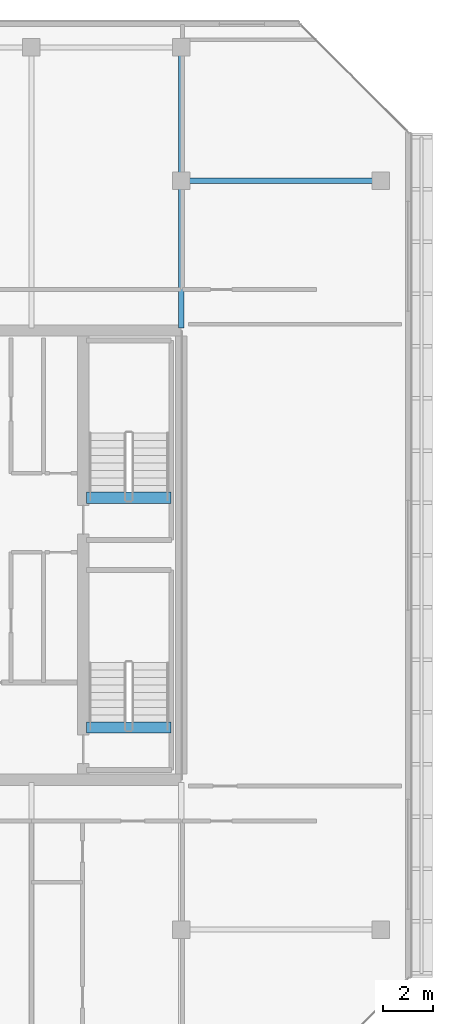
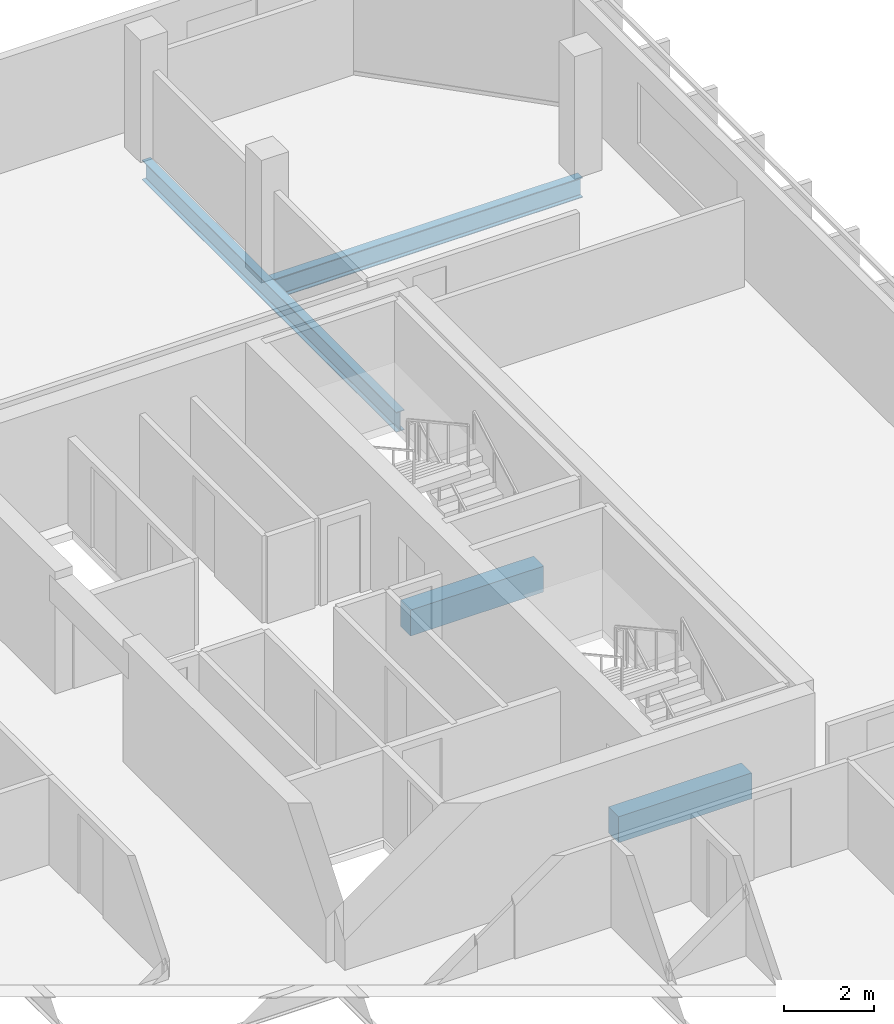
# One storey, part 17 of 29: 4 beams.
"""IFC4 building model written with IfcOpenShell, lengths in metres."""

import ifcopenshell
import ifcopenshell.guid

model = None  # the IFC model being written
_history = None  # IfcOwnerHistory: only IFC2X3 demands one
_inside = {}  # id of a spatial element -> (the spatial element, [elements in it])
_under = {}  # id of a project, library or spatial element -> (it, [spatial elements below it])
_declared = {}  # id of a project -> (the project, [libraries it declares])
_typed = {}  # id of a type object -> (the type object, [elements of that type])
_made_of = {}  # id of a material, layer set ... -> (it, [elements and type objects made of it])


def new_model(schema):
    """Start an empty IFC model of exactly this schema.

    Asked for "IFC4X3", IfcOpenShell would pick the latest addendum, in which some entities
    have other attributes; the version numbers below select the first issue.
    IFC2X3 requires an IfcOwnerHistory on every rooted entity: one is made here for all.
    """
    global model, _history
    if schema == "IFC4X3":
        model = ifcopenshell.file(schema_version=(4, 3, 0, 0))
    else:
        model = ifcopenshell.file(schema=schema)
    _inside.clear()
    _under.clear()
    _declared.clear()
    _typed.clear()
    _made_of.clear()
    _history = None
    if model.schema == "IFC2X3":
        org = make("IfcOrganization", Name="unknown")
        user = make(
            "IfcPersonAndOrganization",
            ThePerson=make("IfcPerson", FamilyName="unknown"),
            TheOrganization=org,
        )
        app = make(
            "IfcApplication",
            ApplicationDeveloper=org,
            Version="unknown",
            ApplicationFullName="unknown",
            ApplicationIdentifier="unknown",
        )
        _history = make(
            "IfcOwnerHistory",
            OwningUser=user,
            OwningApplication=app,
            ChangeAction="ADDED",
            CreationDate=0,
        )
    return model


def make(cls, **values):
    """One entity of the class cls with the attributes given. An attribute that is None is left unset."""
    return model.create_entity(
        cls, **{name: value for name, value in values.items() if value is not None}
    )


def rooted(cls, **values):
    """An entity with a GlobalId (a new one), such as an element, a storey or a relation."""
    return make(cls, GlobalId=ifcopenshell.guid.new(), OwnerHistory=_history, **values)


def si_unit(unit_type, name, prefix=None):
    """IfcSIUnit, for example si_unit("LENGTHUNIT", "METRE", prefix="MILLI")."""
    return make("IfcSIUnit", UnitType=unit_type, Prefix=prefix, Name=name)


def assignment(units):
    """IfcUnitAssignment: the units of a project."""
    return None if units is None else make("IfcUnitAssignment", Units=units)


def point(xyz):
    """IfcCartesianPoint."""
    return None if xyz is None else make("IfcCartesianPoint", Coordinates=xyz)


def direction(xyz):
    """IfcDirection."""
    return None if xyz is None else make("IfcDirection", DirectionRatios=xyz)


def frame(location, z_axis=None, x_axis=None):
    """IfcAxis2Placement3D, a coordinate frame: its origin and axes. An axis left out is left unset."""
    return make(
        "IfcAxis2Placement3D",
        Location=point(location),
        Axis=direction(z_axis),
        RefDirection=direction(x_axis),
    )


def frame_2d(location, x_axis=None):
    """IfcAxis2Placement2D, a coordinate frame in the plane: its origin and x axis."""
    return make(
        "IfcAxis2Placement2D", Location=point(location), RefDirection=direction(x_axis)
    )


def origin():
    """The frame at (0, 0, 0) with its axes left unset."""
    return frame((0.0, 0.0, 0.0))


def origin_2d():
    """The frame at (0, 0) in the plane with its x axis left unset."""
    return frame_2d((0.0, 0.0))


def place(relative_to, where):
    """IfcLocalPlacement: puts the frame where relative to a parent placement (None: the world)."""
    return make(
        "IfcLocalPlacement", PlacementRelTo=relative_to, RelativePlacement=where
    )


def context(
    kind, dimensions, precision=None, world=None, true_north=None, identifier=None
):
    """IfcGeometricRepresentationContext, for example the 3D "Model" context."""
    return make(
        "IfcGeometricRepresentationContext",
        ContextIdentifier=identifier,
        ContextType=kind,
        CoordinateSpaceDimension=dimensions,
        Precision=precision,
        WorldCoordinateSystem=world,
        TrueNorth=true_north,
    )


def subcontext(parent, identifier, kind, view, scale=None):
    """IfcGeometricRepresentationSubContext, for example "Body" below "Model"."""
    return make(
        "IfcGeometricRepresentationSubContext",
        ContextIdentifier=identifier,
        ContextType=kind,
        ParentContext=parent,
        TargetScale=scale,
        TargetView=view,
    )


def project(units=None, contexts=None):
    """IfcProject with its units and contexts."""
    return rooted(
        "IfcProject",
        Name="project",
        RepresentationContexts=contexts,
        UnitsInContext=assignment(units),
    )


def spatial(cls, under=None, at=None, **own):
    """A site, building, storey or space (cls), placed at a placement, below another one or the project."""
    s = rooted(cls, ObjectPlacement=at, **own)
    if under is not None:
        _under.setdefault(under.id(), (under, []))[1].append(s)
    return s


def profile(cls, at=None, kind="AREA", **sizes):
    """A parametric profile (cls). Its sizes go by their IFC names, for example OverallWidth=200.0."""
    return make(cls, ProfileType=kind, Position=at, **sizes)


def rectangle(**sizes):
    """IfcRectangleProfileDef."""
    return profile("IfcRectangleProfileDef", **sizes)


def i_section(**sizes):
    """IfcIShapeProfileDef."""
    return profile("IfcIShapeProfileDef", **sizes)


def extrude(swept, where, along, depth):
    """IfcExtrudedAreaSolid: the profile swept, set in the frame where, extruded along a direction by depth."""
    return make(
        "IfcExtrudedAreaSolid",
        SweptArea=swept,
        Position=where,
        ExtrudedDirection=direction(along),
        Depth=depth,
    )


def shape(context_of_items, identifier, shape_type, items):
    """IfcShapeRepresentation: the items that make up one representation, for example the "Body"."""
    return make(
        "IfcShapeRepresentation",
        ContextOfItems=context_of_items,
        RepresentationIdentifier=identifier,
        RepresentationType=shape_type,
        Items=items,
    )


def material(Name=None, Category=None):
    """IfcMaterial."""
    return make("IfcMaterial", Name=Name, Category=Category)


def material_profile(
    of_material, cross_section, Name=None, Category=None, Priority=None
):
    """IfcMaterialProfile: a cross section and its material."""
    return make(
        "IfcMaterialProfile",
        Name=Name,
        Material=of_material,
        Profile=cross_section,
        Priority=Priority,
        Category=Category,
    )


def profile_set(profiles, Name=None, composite=None):
    """IfcMaterialProfileSet."""
    return make(
        "IfcMaterialProfileSet",
        Name=Name,
        MaterialProfiles=profiles,
        CompositeProfile=composite,
    )


def made_of(thing, what):
    """Note that an element or type object is made of a material, layer set ...; save() writes the relation."""
    if what is not None:
        _made_of.setdefault(what.id(), (what, []))[1].append(thing)
    return thing


def type_object(cls, material=None, **own):
    """A type object (cls), such as IfcWallType, which elements share."""
    return made_of(rooted(cls, **own), material)


def element(
    cls,
    number,
    at=None,
    inside=None,
    cuts=None,
    type_object=None,
    material=None,
    context=None,
    identifier="Body",
    shape_type=None,
    held_by="IfcProductDefinitionShape",
    body=None,
    shapes=None,
    **own,
):
    """One element of the class cls, such as IfcWall. Its Tag is "e" and its number.

    at: its placement. inside: the storey or other place that contains it. cuts: it is an
    opening in that element (IfcRelVoidsElement). A single representation is given by context,
    identifier, shape_type and body (its items); several are given by shapes. held_by: the class
    of the entity that holds the representations. save() writes the other relations.
    """
    e = rooted(cls, Tag="e%d" % number, ObjectPlacement=at, **own)
    if body is not None:
        shapes = [shape(context, identifier, shape_type, body)]
    if shapes is not None:
        e.Representation = make(held_by, Representations=shapes)
    if inside is not None:
        _inside.setdefault(inside.id(), (inside, []))[1].append(e)
    if cuts is not None:
        rooted(
            "IfcRelVoidsElement", RelatingBuildingElement=cuts, RelatedOpeningElement=e
        )
    if type_object is not None:
        _typed.setdefault(type_object.id(), (type_object, []))[1].append(e)
    return made_of(e, material)


def aggregate(whole, parts):
    """IfcRelAggregates: a whole, such as a stair, and the parts it consists of."""
    return rooted("IfcRelAggregates", RelatingObject=whole, RelatedObjects=parts)


def save(model, path):
    """Write the relations noted so far, then the file.

    IfcRelAggregates (storeys below a building ...), IfcRelContainedInSpatialStructure (elements
    in a storey), IfcRelDefinesByType, IfcRelAssociatesMaterial and IfcRelDeclares: one each for
    every whole, place, type object, material and project.
    """
    for whole, parts in _under.values():
        aggregate(whole, parts)
    for where, things in _inside.values():
        rooted(
            "IfcRelContainedInSpatialStructure",
            RelatedElements=things,
            RelatingStructure=where,
        )
    for kind, things in _typed.values():
        rooted("IfcRelDefinesByType", RelatedObjects=things, RelatingType=kind)
    for what, things in _made_of.values():
        rooted("IfcRelAssociatesMaterial", RelatedObjects=things, RelatingMaterial=what)
    for by, libraries in _declared.values():
        rooted("IfcRelDeclares", RelatingContext=by, RelatedDefinitions=libraries)
    model.write(path)


model = new_model("IFC4")

# Units and contexts
model_context = context("Model", 3, precision=1e-05, world=origin(), true_north=direction((0.0, 1.0)))
body_context = subcontext(model_context, "Body", "Model", "MODEL_VIEW")
ifc_project = project(units=[si_unit("LENGTHUNIT", "METRE"), si_unit("AREAUNIT", "SQUARE_METRE"), si_unit("VOLUMEUNIT", "CUBIC_METRE"), si_unit("PLANEANGLEUNIT", "RADIAN"), si_unit("MASSUNIT", "GRAM", prefix="KILO")], contexts=[model_context])

# Site, building, storey
site_placement = place(None, origin())
site = spatial("IfcSite", under=ifc_project, at=site_placement, CompositionType="ELEMENT")
building_placement = place(site_placement, origin())
building = spatial("IfcBuilding", under=site, at=building_placement, Name="Tanjung Sevakor Pilgrim Tower", CompositionType="ELEMENT")
storey_placement = place(building_placement, frame((0.0, 0.0, 232.64990234375)))
storey = spatial("IfcBuildingStorey", under=building, at=storey_placement, Name="L65", CompositionType="ELEMENT", Elevation=232.64990234375)

# Beams
ifc_material_1 = material(Name="Steel S355J2", Category="steel")
ifc_material_profile_1 = material_profile(ifc_material_1, i_section(OverallWidth=0.2119140625, OverallDepth=0.54443359375, WebThickness=0.0126953125, FlangeThickness=0.021240234375, FilletRadius=0.0126953125, at=origin_2d()))
ifc_profile_set_1 = profile_set([ifc_material_profile_1], Name="Steel S355J2")
beam_type_1 = type_object("IfcBeamType", Name="BM-B-G5-UB_533x210x122", PredefinedType="BEAM", material=ifc_profile_set_1)
beam_1_placement = place(storey_placement, frame((90.0, 48.60009765625, -0.4921875), z_axis=(1.0, 0.0, 0.0), x_axis=(0.0, 1.0, 0.0)))
element("IfcBeam", 1, at=beam_1_placement, inside=storey, type_object=beam_type_1, Name="L65 East Peak Wing Girder Y48.6", PredefinedType="BEAM", context=body_context, shape_type="SweptSolid", body=[
    extrude(i_section(OverallWidth=0.2119140625, OverallDepth=0.54443359375, WebThickness=0.0126953125, FlangeThickness=0.021240234375, FilletRadius=0.0126953125, at=origin_2d()), origin(), (0.0, 0.0, 1.0), 8.0),
])
ifc_material_2 = material(Name="Steel S355J2", Category="steel")
ifc_material_profile_2 = material_profile(ifc_material_2, i_section(OverallWidth=0.210693359375, OverallDepth=0.53955078125, WebThickness=0.01171875, FlangeThickness=0.018798828125, FilletRadius=0.0126953125, at=origin_2d()))
ifc_profile_set_2 = profile_set([ifc_material_profile_2], Name="Steel S355J2")
beam_type_2 = type_object("IfcBeamType", Name="BM-B-G6-UB_533x210x109", PredefinedType="BEAM", material=ifc_profile_set_2)
beam_2_placement = place(storey_placement, frame((90.0, 42.7060546875, -0.489501953125), z_axis=(0.0, 1.0, 0.0), x_axis=(-1.0, 0.0, 0.0)))
element("IfcBeam", 2, at=beam_2_placement, inside=storey, type_object=beam_type_2, Name="L65 EAST Girder 010", PredefinedType="BEAM", context=body_context, shape_type="SweptSolid", body=[
    extrude(i_section(OverallWidth=0.210693359375, OverallDepth=0.53955078125, WebThickness=0.01171875, FlangeThickness=0.018798828125, FilletRadius=0.0126953125, at=origin_2d()), origin(), (0.0, 0.0, 1.0), 11.243896484375),
])
ifc_material_3 = material(Name="Concrete C60/75", Category="concrete")
ifc_material_profile_3 = material_profile(ifc_material_3, rectangle(XDim=0.449951171875, YDim=0.699951171875, at=origin_2d()))
ifc_profile_set_3 = profile_set([ifc_material_profile_3], Name="Concrete C60/75")
beam_type_3 = type_object("IfcBeamType", Name="BM-B-LN3-RC-BM_450x700", PredefinedType="LINTEL", material=ifc_profile_set_3)
for number, where, z_axis, x_axis, name in (
    (3, (86.199951171875, 26.699951171875, -0.349853515625), (1.0, 0.0, 0.0), (0.0, 1.0, 0.0), "L65 TS-E1 Stair Threshold Beam"),
    (4, (86.199951171875, 35.89990234375, -0.349853515625), (1.0, 0.0, 0.0), (0.0, 1.0, 0.0), "L65 TS-E2 Stair Threshold Beam"),
):
    element("IfcBeam", number, at=place(storey_placement, frame(where, z_axis=z_axis, x_axis=x_axis)), inside=storey, type_object=beam_type_3, Name=name, PredefinedType="LINTEL", context=body_context, shape_type="SweptSolid", body=[
        extrude(rectangle(XDim=0.449951171875, YDim=0.699951171875, at=origin_2d()), origin(), (0.0, 0.0, 1.0), 3.400146484375),
    ])

save(model, "model.ifc")
